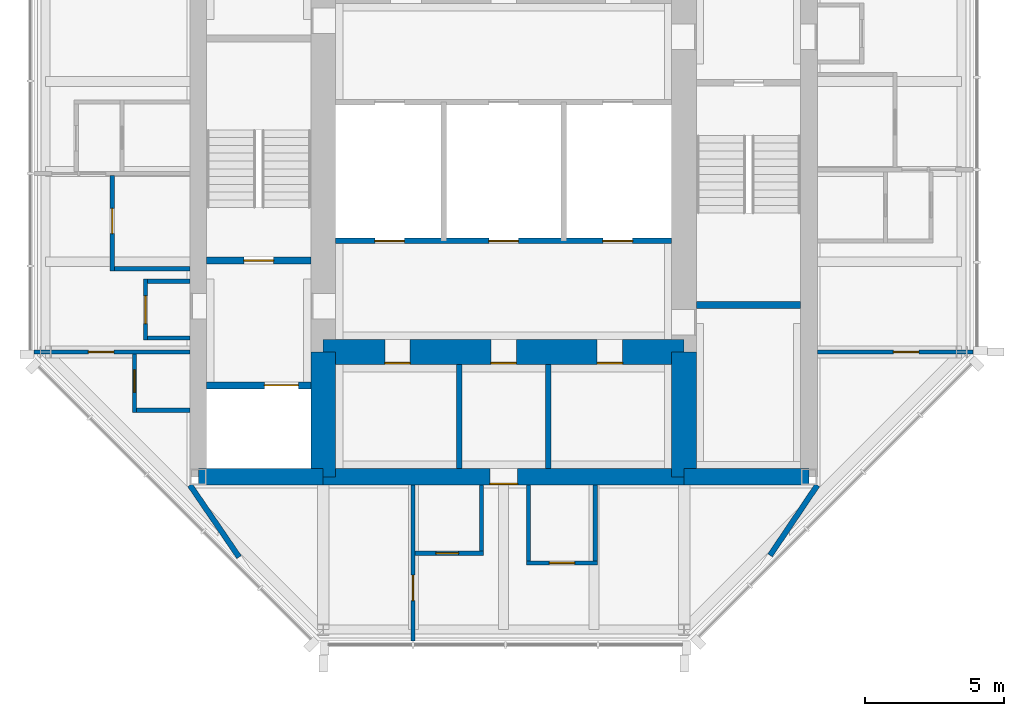
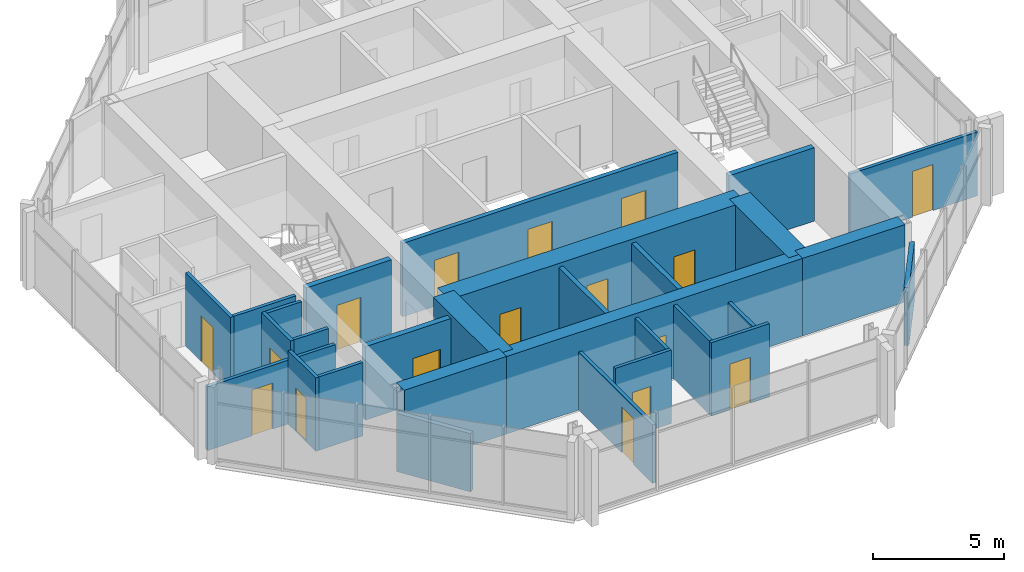
# One storey, part 5 of 9: 29 walls, 17 doors, 17 openings.
"""IFC4 building model written with IfcOpenShell, lengths in metres."""

from ifc_helpers import new_model, si_unit, direction, frame, frame_2d, origin, place, context, subcontext, project, spatial, rectangle, extrude, material, layer, layer_set, type_object, element, fill, save


model = new_model("IFC4")

# Units and contexts
model_context = context("Model", 3, precision=1e-05, world=origin(), true_north=direction((0.0, 1.0)))
body_context = subcontext(model_context, "Body", "Model", "MODEL_VIEW")
ifc_project = project(units=[si_unit("LENGTHUNIT", "METRE"), si_unit("AREAUNIT", "SQUARE_METRE"), si_unit("VOLUMEUNIT", "CUBIC_METRE"), si_unit("PLANEANGLEUNIT", "RADIAN"), si_unit("MASSUNIT", "GRAM", prefix="KILO")], contexts=[model_context])

# Site, building, storey
site_placement = place(None, origin())
site = spatial("IfcSite", under=ifc_project, at=site_placement, CompositionType="ELEMENT")
building_placement = place(site_placement, origin())
building = spatial("IfcBuilding", under=site, at=building_placement, Name="Trevanion Tower", CompositionType="ELEMENT")
storey_placement = place(building_placement, frame((0.0, 0.0, 281.199951171875)))
storey = spatial("IfcBuildingStorey", under=building, at=storey_placement, Name="L69", CompositionType="ELEMENT", Elevation=281.199951171875)

# Wall
ifc_material_1 = material(Name="Concrete 10,000 psi", Category="concrete")
ifc_layer_1 = layer(ifc_material_1, 0.60009765625)
ifc_layer_set_1 = layer_set([ifc_layer_1], Name="CW1 core wall 600")
wall_type_1 = type_object("IfcWallType", Name="CW1 core wall 600", PredefinedType="SHEAR", material=ifc_layer_set_1)
wall_1_placement = place(storey_placement, frame((-11.0, -11.0, 0.0), z_axis=(0.0, 0.0, 1.0), x_axis=(1.0, 0.0, 0.0)))
element("IfcWall", 1, at=wall_1_placement, inside=storey, type_object=wall_type_1, Name="CW1 CS1 L69", PredefinedType="SHEAR", context=body_context, shape_type="SweptSolid", body=[
    extrude(rectangle(XDim=4.5, YDim=0.60009765625, at=frame_2d((2.25, 0.0))), origin(), (0.0, 0.0, 1.0), 3.60009765625),
])

# Wall, opening, door
wall_2_placement = place(storey_placement, frame((-6.5, -11.0, 0.0), z_axis=(0.0, 0.0, 1.0), x_axis=(1.0, 0.0, 0.0)))
wall_2 = element("IfcWall", 2, at=wall_2_placement, inside=storey, type_object=wall_type_1, Name="CW1 CS2 L69", PredefinedType="SHEAR", context=body_context, shape_type="SweptSolid", body=[
    extrude(rectangle(XDim=13.0, YDim=0.60009765625, at=frame_2d((6.5, 0.0))), origin(), (0.0, 0.0, 1.0), 3.60009765625),
])
opening_1_placement = place(wall_2_placement, frame((6.0, 0.0, 0.0)))
opening_1 = element("IfcOpeningElement", 3, at=opening_1_placement, cuts=wall_2, Name="Opening 69-022", PredefinedType="OPENING", context=body_context, shape_type="SweptSolid", body=[
    extrude(rectangle(XDim=1.0, YDim=2.134033203125, at=frame_2d((0.5, 1.06689453125))), frame((0.0, 0.31005859375, 0.0), z_axis=(0.0, -1.0, 0.0), x_axis=(1.0, 0.0, 0.0)), (0.0, 0.0, 1.0), 0.6201171875),
])
ifc_material_2 = material(Name="Timber veneer on steel frame, fire rated", Category="steel")
door_type_1 = type_object("IfcDoorType", Name="D13 residence entrance door", OperationType="SINGLE_SWING_RIGHT", PredefinedType="DOOR", material=ifc_material_2)
door_1_placement = place(opening_1_placement, origin())
door_1 = element("IfcDoor", 4, at=door_1_placement, inside=storey, type_object=door_type_1, Name="Door 69-022", OperationType="SINGLE_SWING_RIGHT", OverallHeight=2.134033203125, OverallWidth=1.0, PredefinedType="DOOR", context=body_context, shape_type="SweptSolid", body=[
    extrude(rectangle(XDim=1.0, YDim=2.134033203125, at=frame_2d((0.5, 1.06689453125))), frame((0.0, -0.22509765625, 0.0), z_axis=(0.0, -1.0, 0.0), x_axis=(1.0, 0.0, 0.0)), (0.0, 0.0, 1.0), 0.050048828125),
])
fill(opening_1, door_1)

# Walls
wall_3_placement = place(storey_placement, frame((6.5, -11.0, 0.0), z_axis=(0.0, 0.0, 1.0), x_axis=(1.0, 0.0, 0.0)))
element("IfcWall", 5, at=wall_3_placement, inside=storey, type_object=wall_type_1, Name="CW1 CS3 L69", PredefinedType="SHEAR", context=body_context, shape_type="SweptSolid", body=[
    extrude(rectangle(XDim=4.5, YDim=0.60009765625, at=frame_2d((2.25, 0.0))), origin(), (0.0, 0.0, 1.0), 3.60009765625),
])
ifc_material_3 = material(Name="Concrete 10,000 psi", Category="concrete")
ifc_layer_2 = layer(ifc_material_3, 0.89990234375)
ifc_layer_set_2 = layer_set([ifc_layer_2], Name="CW2 core wall 900")
wall_type_2 = type_object("IfcWallType", Name="CW2 core wall 900", PredefinedType="SHEAR", material=ifc_layer_set_2)
for number, where, z_axis, x_axis, name in (
    (6, (6.5, -11.0, 0.0), (0.0, 0.0, 1.0), (0.0, 1.0, 0.0), "CW2 RE1 L69"),
    (7, (-6.5, -6.5, 0.0), (0.0, 0.0, 1.0), (0.0, -1.0, 0.0), "CW2 RW3 L69"),
):
    element("IfcWall", number, at=place(storey_placement, frame(where, z_axis=z_axis, x_axis=x_axis)), inside=storey, type_object=wall_type_2, Name=name, PredefinedType="SHEAR", context=body_context, shape_type="SweptSolid", body=[
        extrude(rectangle(XDim=4.5, YDim=0.89990234375, at=frame_2d((2.25, 0.0))), origin(), (0.0, 0.0, 1.0), 3.60009765625),
    ])

# Wall, openings, doors
wall_4_placement = place(storey_placement, frame((-6.5, -6.5, 0.0), z_axis=(0.0, 0.0, 1.0), x_axis=(1.0, 0.0, 0.0)))
wall_4 = element("IfcWall", 8, at=wall_4_placement, inside=storey, type_object=wall_type_2, Name="CW2 RS L69", PredefinedType="SHEAR", context=body_context, shape_type="SweptSolid", body=[
    extrude(rectangle(XDim=13.0, YDim=0.89990234375, at=frame_2d((6.5, 0.0))), origin(), (0.0, 0.0, 1.0), 3.60009765625),
])
opening_2_placement = place(wall_4_placement, frame((6.04248046875, 0.0, 0.0)))
opening_2 = element("IfcOpeningElement", 9, at=opening_2_placement, cuts=wall_4, Name="Opening 69-021", PredefinedType="OPENING", context=body_context, shape_type="SweptSolid", body=[
    extrude(rectangle(XDim=0.9150390625, YDim=2.134033203125, at=frame_2d((0.45751953125, 1.06689453125))), frame((0.0, 0.4599609375, 0.0), z_axis=(0.0, -1.0, 0.0), x_axis=(1.0, 0.0, 0.0)), (0.0, 0.0, 1.0), 0.919921875),
])
opening_3_placement = place(wall_4_placement, frame((2.217529296875, 0.0, 0.0)))
opening_3 = element("IfcOpeningElement", 10, at=opening_3_placement, cuts=wall_4, Name="Opening 69-023", PredefinedType="OPENING", context=body_context, shape_type="SweptSolid", body=[
    extrude(rectangle(XDim=0.9150390625, YDim=2.134033203125, at=frame_2d((0.45751953125, 1.06689453125))), frame((0.0, 0.4599609375, 0.0), z_axis=(0.0, -1.0, 0.0), x_axis=(1.0, 0.0, 0.0)), (0.0, 0.0, 1.0), 0.919921875),
])
opening_4_placement = place(wall_4_placement, frame((9.867431640625, 0.0, 0.0)))
opening_4 = element("IfcOpeningElement", 11, at=opening_4_placement, cuts=wall_4, Name="Opening 69-024", PredefinedType="OPENING", context=body_context, shape_type="SweptSolid", body=[
    extrude(rectangle(XDim=0.9150390625, YDim=2.134033203125, at=frame_2d((0.45751953125, 1.06689453125))), frame((0.0, 0.4599609375, 0.0), z_axis=(0.0, -1.0, 0.0), x_axis=(1.0, 0.0, 0.0)), (0.0, 0.0, 1.0), 0.919921875),
])
ifc_material_4 = material(Name="Hollow metal, fire rated", Category="steel")
door_type_2 = type_object("IfcDoorType", Name="D3 fire lift lobby door", OperationType="SINGLE_SWING_RIGHT", PredefinedType="DOOR", material=ifc_material_4)
door_2_placement = place(opening_2_placement, origin())
door_2 = element("IfcDoor", 12, at=door_2_placement, inside=storey, type_object=door_type_2, Name="Door 69-021", OperationType="SINGLE_SWING_RIGHT", OverallHeight=2.134033203125, OverallWidth=0.9150390625, PredefinedType="DOOR", context=body_context, shape_type="SweptSolid", body=[
    extrude(rectangle(XDim=0.9150390625, YDim=2.134033203125, at=frame_2d((0.45751953125, 1.06689453125))), frame((0.0, -0.375, 0.0), z_axis=(0.0, -1.0, 0.0), x_axis=(1.0, 0.0, 0.0)), (0.0, 0.0, 1.0), 0.050048828125),
])
fill(opening_2, door_2)
ifc_material_5 = material(Name="Hollow metal, fire rated", Category="steel")
door_type_3 = type_object("IfcDoorType", Name="D5 service room door", OperationType="SINGLE_SWING_RIGHT", PredefinedType="DOOR", material=ifc_material_5)
door_3_placement = place(opening_3_placement, origin())
door_3 = element("IfcDoor", 13, at=door_3_placement, inside=storey, type_object=door_type_3, Name="Door 69-023", OperationType="SINGLE_SWING_RIGHT", OverallHeight=2.134033203125, OverallWidth=0.9150390625, PredefinedType="DOOR", context=body_context, shape_type="SweptSolid", body=[
    extrude(rectangle(XDim=0.9150390625, YDim=2.134033203125, at=frame_2d((0.45751953125, 1.06689453125))), frame((0.0, -0.375, 0.0), z_axis=(0.0, -1.0, 0.0), x_axis=(1.0, 0.0, 0.0)), (0.0, 0.0, 1.0), 0.050048828125),
])
fill(opening_3, door_3)
door_4_placement = place(opening_4_placement, origin())
door_4 = element("IfcDoor", 14, at=door_4_placement, inside=storey, type_object=door_type_3, Name="Door 69-024", OperationType="SINGLE_SWING_RIGHT", OverallHeight=2.134033203125, OverallWidth=0.9150390625, PredefinedType="DOOR", context=body_context, shape_type="SweptSolid", body=[
    extrude(rectangle(XDim=0.9150390625, YDim=2.134033203125, at=frame_2d((0.45751953125, 1.06689453125))), frame((0.0, -0.375, 0.0), z_axis=(0.0, -1.0, 0.0), x_axis=(1.0, 0.0, 0.0)), (0.0, 0.0, 1.0), 0.050048828125),
])
fill(opening_4, door_4)

# Wall, opening, door
ifc_material_6 = material(Name="Gypsum board on steel studs", Category="steel")
ifc_layer_3 = layer(ifc_material_6, 0.14990234375)
ifc_layer_set_3 = layer_set([ifc_layer_3], Name="PT1 partition 150")
wall_type_3 = type_object("IfcWallType", Name="PT1 partition 150", PredefinedType="PARTITIONING", material=ifc_layer_set_3)
wall_5_placement = place(storey_placement, frame((11.300048828125, -6.5, 0.0), z_axis=(0.0, 0.0, 1.0), x_axis=(1.0, 0.0, 0.0)))
wall_5 = element("IfcWall", 15, at=wall_5_placement, inside=storey, type_object=wall_type_3, Name="PT1 L69 REC0", PredefinedType="PARTITIONING", context=body_context, shape_type="SweptSolid", body=[
    extrude(rectangle(XDim=5.614990234375, YDim=0.14990234375, at=frame_2d((2.8076171875, 0.0))), origin(), (0.0, 0.0, 1.0), 2.965576171875),
])
opening_5_placement = place(wall_5_placement, frame((2.742431640625, 0.0, 0.0)))
opening_5 = element("IfcOpeningElement", 16, at=opening_5_placement, cuts=wall_5, Name="Opening 69-031", PredefinedType="OPENING", context=body_context, shape_type="SweptSolid", body=[
    extrude(rectangle(XDim=0.9150390625, YDim=2.134033203125, at=frame_2d((0.45751953125, 1.06689453125))), frame((0.0, 0.0849609375, 0.0), z_axis=(0.0, -1.0, 0.0), x_axis=(1.0, 0.0, 0.0)), (0.0, 0.0, 1.0), 0.169921875),
])
ifc_material_7 = material(Name="Timber veneer, solid core", Category="wood")
door_type_4 = type_object("IfcDoorType", Name="D1 office and meeting room door", OperationType="SINGLE_SWING_LEFT", PredefinedType="DOOR", material=ifc_material_7)
door_5_placement = place(opening_5_placement, origin())
door_5 = element("IfcDoor", 17, at=door_5_placement, inside=storey, type_object=door_type_4, Name="Door 69-031", OperationType="SINGLE_SWING_LEFT", OverallHeight=2.134033203125, OverallWidth=0.9150390625, PredefinedType="DOOR", context=body_context, shape_type="SweptSolid", body=[
    extrude(rectangle(XDim=0.9150390625, YDim=2.134033203125, at=frame_2d((0.45751953125, 1.06689453125))), frame((0.0, 0.02490234375, 0.0), z_axis=(0.0, -1.0, 0.0), x_axis=(1.0, 0.0, 0.0)), (0.0, 0.0, 1.0), 0.050048828125),
])
fill(opening_5, door_5)

wall_6_placement = place(storey_placement, frame((-11.300048828125, -6.5, 0.0), z_axis=(0.0, 0.0, 1.0), x_axis=(-1.0, 0.0, 0.0)))
wall_6 = element("IfcWall", 18, at=wall_6_placement, inside=storey, type_object=wall_type_3, Name="PT1 L69 RWC2", PredefinedType="PARTITIONING", context=body_context, shape_type="SweptSolid", body=[
    extrude(rectangle(XDim=5.614990234375, YDim=0.14990234375, at=frame_2d((2.8076171875, 0.0))), origin(), (0.0, 0.0, 1.0), 2.965576171875),
])
opening_6_placement = place(wall_6_placement, frame((2.742431640625, 0.0, 0.0)))
opening_6 = element("IfcOpeningElement", 19, at=opening_6_placement, cuts=wall_6, Name="Opening 69-045", PredefinedType="OPENING", context=body_context, shape_type="SweptSolid", body=[
    extrude(rectangle(XDim=0.9150390625, YDim=2.134033203125, at=frame_2d((0.45751953125, 1.06689453125))), frame((0.0, 0.0849609375, 0.0), z_axis=(0.0, -1.0, 0.0), x_axis=(1.0, 0.0, 0.0)), (0.0, 0.0, 1.0), 0.169921875),
])
door_6_placement = place(opening_6_placement, origin())
door_6 = element("IfcDoor", 20, at=door_6_placement, inside=storey, type_object=door_type_4, Name="Door 69-045", OperationType="SINGLE_SWING_LEFT", OverallHeight=2.134033203125, OverallWidth=0.9150390625, PredefinedType="DOOR", context=body_context, shape_type="SweptSolid", body=[
    extrude(rectangle(XDim=0.9150390625, YDim=2.134033203125, at=frame_2d((0.45751953125, 1.06689453125))), frame((0.0, 0.02490234375, 0.0), z_axis=(0.0, -1.0, 0.0), x_axis=(1.0, 0.0, 0.0)), (0.0, 0.0, 1.0), 0.050048828125),
])
fill(opening_6, door_6)

# Walls
for number, where, z_axis, x_axis, name in (
    (21, (-11.300048828125, -3.949951171875, 0.0), (0.0, 0.0, 1.0), (-1.0, 0.0, 0.0), "PT1 L69 RWEA"),
    (22, (-11.300048828125, -6.0, 0.0), (0.0, 0.0, 1.0), (-1.0, 0.0, 0.0), "PT1 L69 RWEB"),
):
    element("IfcWall", number, at=place(storey_placement, frame(where, z_axis=z_axis, x_axis=x_axis)), inside=storey, type_object=wall_type_3, Name=name, PredefinedType="PARTITIONING", context=body_context, shape_type="SweptSolid", body=[
        extrude(rectangle(XDim=1.52490234375, YDim=0.14990234375, at=frame_2d((0.762451171875, 0.0))), origin(), (0.0, 0.0, 1.0), 3.41015625),
    ])

# Wall, opening, door
wall_7_placement = place(storey_placement, frame((-14.10009765625, -0.139892578125, 0.0), z_axis=(0.0, 0.0, 1.0), x_axis=(0.0, -1.0, 0.0)))
wall_7 = element("IfcWall", 23, at=wall_7_placement, inside=storey, type_object=wall_type_3, Name="PT1 L69 RWKF", PredefinedType="PARTITIONING", context=body_context, shape_type="SweptSolid", body=[
    extrude(rectangle(XDim=3.43505859375, YDim=0.14990234375, at=frame_2d((1.717529296875, 0.0))), origin(), (0.0, 0.0, 1.0), 3.41015625),
])
opening_7_placement = place(wall_7_placement, frame((1.18505859375, 0.0, 0.0)))
opening_7 = element("IfcOpeningElement", 24, at=opening_7_placement, cuts=wall_7, Name="Opening 69-038", PredefinedType="OPENING", context=body_context, shape_type="SweptSolid", body=[
    extrude(rectangle(XDim=0.9150390625, YDim=2.134033203125, at=frame_2d((0.45751953125, 1.06689453125))), frame((0.0, 0.0849609375, 0.0), z_axis=(0.0, -1.0, 0.0), x_axis=(1.0, 0.0, 0.0)), (0.0, 0.0, 1.0), 0.169921875),
])
door_7_placement = place(opening_7_placement, origin())
door_7 = element("IfcDoor", 25, at=door_7_placement, inside=storey, type_object=door_type_4, Name="Door 69-038", OperationType="SINGLE_SWING_LEFT", OverallHeight=2.134033203125, OverallWidth=0.9150390625, PredefinedType="DOOR", context=body_context, shape_type="SweptSolid", body=[
    extrude(rectangle(XDim=0.9150390625, YDim=2.134033203125, at=frame_2d((0.45751953125, 1.06689453125))), frame((0.0, 0.02490234375, 0.0), z_axis=(0.0, -1.0, 0.0), x_axis=(1.0, 0.0, 0.0)), (0.0, 0.0, 1.0), 0.050048828125),
])
fill(opening_7, door_7)

# Wall
wall_8_placement = place(storey_placement, frame((-11.300048828125, -3.5, 0.0), z_axis=(0.0, 0.0, 1.0), x_axis=(-1.0, 0.0, 0.0)))
element("IfcWall", 26, at=wall_8_placement, inside=storey, type_object=wall_type_3, Name="PT1 L69 RWKB", PredefinedType="PARTITIONING", context=body_context, shape_type="SweptSolid", body=[
    extrude(rectangle(XDim=2.724853515625, YDim=0.14990234375, at=frame_2d((1.3623046875, 0.0))), origin(), (0.0, 0.0, 1.0), 3.41015625),
])

# Wall, opening, door
wall_9_placement = place(storey_placement, frame((-13.300048828125, -6.574951171875, 0.0), z_axis=(0.0, 0.0, 1.0), x_axis=(0.0, -1.0, 0.0)))
wall_9 = element("IfcWall", 27, at=wall_9_placement, inside=storey, type_object=wall_type_3, Name="PT1 L69 RWWF", PredefinedType="PARTITIONING", context=body_context, shape_type="SweptSolid", body=[
    extrude(rectangle(XDim=2.10009765625, YDim=0.14990234375, at=frame_2d((1.050048828125, 0.0))), origin(), (0.0, 0.0, 1.0), 3.41015625),
])
opening_8_placement = place(wall_9_placement, frame((0.568603515625, 0.0, 0.0)))
opening_8 = element("IfcOpeningElement", 28, at=opening_8_placement, cuts=wall_9, Name="Opening 69-039", PredefinedType="OPENING", context=body_context, shape_type="SweptSolid", body=[
    extrude(rectangle(XDim=0.81298828125, YDim=2.031982421875, at=frame_2d((0.406494140625, 1.01611328125))), frame((0.0, 0.0849609375, 0.0), z_axis=(0.0, -1.0, 0.0), x_axis=(1.0, 0.0, 0.0)), (0.0, 0.0, 1.0), 0.169921875),
])
ifc_material_8 = material(Name="Timber veneer", Category="wood")
door_type_5 = type_object("IfcDoorType", Name="D14 residence bathroom door", OperationType="SINGLE_SWING_LEFT", PredefinedType="DOOR", material=ifc_material_8)
door_8_placement = place(opening_8_placement, origin())
door_8 = element("IfcDoor", 29, at=door_8_placement, inside=storey, type_object=door_type_5, Name="Door 69-039", OperationType="SINGLE_SWING_LEFT", OverallHeight=2.031982421875, OverallWidth=0.81298828125, PredefinedType="DOOR", context=body_context, shape_type="SweptSolid", body=[
    extrude(rectangle(XDim=0.81298828125, YDim=2.031982421875, at=frame_2d((0.406494140625, 1.01611328125))), frame((0.0, 0.02490234375, 0.0), z_axis=(0.0, -1.0, 0.0), x_axis=(1.0, 0.0, 0.0)), (0.0, 0.0, 1.0), 0.050048828125),
])
fill(opening_8, door_8)

# Wall
wall_10_placement = place(storey_placement, frame((-11.300048828125, -8.60009765625, 0.0), z_axis=(0.0, 0.0, 1.0), x_axis=(-1.0, 0.0, 0.0)))
element("IfcWall", 30, at=wall_10_placement, inside=storey, type_object=wall_type_3, Name="PT1 L69 RWWB", PredefinedType="PARTITIONING", context=body_context, shape_type="SweptSolid", body=[
    extrude(rectangle(XDim=1.925048828125, YDim=0.14990234375, at=frame_2d((0.96240234375, 0.0))), origin(), (0.0, 0.0, 1.0), 3.41015625),
])

# Wall, opening, door
wall_11_placement = place(storey_placement, frame((-3.26611328125, -11.300048828125, 0.0), z_axis=(0.0, 0.0, 1.0), x_axis=(0.0, -1.0, 0.0)))
wall_11 = element("IfcWall", 31, at=wall_11_placement, inside=storey, type_object=wall_type_3, Name="PT1 L69 RSC0", PredefinedType="PARTITIONING", context=body_context, shape_type="SweptSolid", body=[
    extrude(rectangle(XDim=5.614990234375, YDim=0.14990234375, at=frame_2d((2.8076171875, 0.0))), origin(), (0.0, 0.0, 1.0), 2.708984375),
])
opening_9_placement = place(wall_11_placement, frame((3.242431640625, 0.0, 0.0)))
opening_9 = element("IfcOpeningElement", 32, at=opening_9_placement, cuts=wall_11, Name="Opening 69-048", PredefinedType="OPENING", context=body_context, shape_type="SweptSolid", body=[
    extrude(rectangle(XDim=0.9150390625, YDim=2.134033203125, at=frame_2d((0.45751953125, 1.06689453125))), frame((0.0, 0.0849609375, 0.0), z_axis=(0.0, -1.0, 0.0), x_axis=(1.0, 0.0, 0.0)), (0.0, 0.0, 1.0), 0.169921875),
])
door_9_placement = place(opening_9_placement, origin())
door_9 = element("IfcDoor", 33, at=door_9_placement, inside=storey, type_object=door_type_4, Name="Door 69-048", OperationType="SINGLE_SWING_LEFT", OverallHeight=2.134033203125, OverallWidth=0.9150390625, PredefinedType="DOOR", context=body_context, shape_type="SweptSolid", body=[
    extrude(rectangle(XDim=0.9150390625, YDim=2.134033203125, at=frame_2d((0.45751953125, 1.06689453125))), frame((0.0, 0.02490234375, 0.0), z_axis=(0.0, -1.0, 0.0), x_axis=(1.0, 0.0, 0.0)), (0.0, 0.0, 1.0), 0.050048828125),
])
fill(opening_9, door_9)

wall_12_placement = place(storey_placement, frame((0.824951171875, -14.10009765625, 0.0), z_axis=(0.0, 0.0, 1.0), x_axis=(1.0, 0.0, 0.0)))
wall_12 = element("IfcWall", 34, at=wall_12_placement, inside=storey, type_object=wall_type_3, Name="PT1 L69 RSKF", PredefinedType="PARTITIONING", context=body_context, shape_type="SweptSolid", body=[
    extrude(rectangle(XDim=2.550048828125, YDim=0.14990234375, at=frame_2d((1.27490234375, 0.0))), origin(), (0.0, 0.0, 1.0), 3.41015625),
])
opening_10_placement = place(wall_12_placement, frame((0.8173828125, 0.0, 0.0)))
opening_10 = element("IfcOpeningElement", 35, at=opening_10_placement, cuts=wall_12, Name="Opening 69-046", PredefinedType="OPENING", context=body_context, shape_type="SweptSolid", body=[
    extrude(rectangle(XDim=0.9150390625, YDim=2.134033203125, at=frame_2d((0.45751953125, 1.06689453125))), frame((0.0, 0.0849609375, 0.0), z_axis=(0.0, -1.0, 0.0), x_axis=(1.0, 0.0, 0.0)), (0.0, 0.0, 1.0), 0.169921875),
])
door_10_placement = place(opening_10_placement, origin())
door_10 = element("IfcDoor", 36, at=door_10_placement, inside=storey, type_object=door_type_4, Name="Door 69-046", OperationType="SINGLE_SWING_LEFT", OverallHeight=2.134033203125, OverallWidth=0.9150390625, PredefinedType="DOOR", context=body_context, shape_type="SweptSolid", body=[
    extrude(rectangle(XDim=0.9150390625, YDim=2.134033203125, at=frame_2d((0.45751953125, 1.06689453125))), frame((0.0, 0.02490234375, 0.0), z_axis=(0.0, -1.0, 0.0), x_axis=(1.0, 0.0, 0.0)), (0.0, 0.0, 1.0), 0.050048828125),
])
fill(opening_10, door_10)

# Walls
wall_13_placement = place(storey_placement, frame((0.89990234375, -11.300048828125, 0.0), z_axis=(0.0, 0.0, 1.0), x_axis=(0.0, -1.0, 0.0)))
element("IfcWall", 37, at=wall_13_placement, inside=storey, type_object=wall_type_3, Name="PT1 L69 RSKA", PredefinedType="PARTITIONING", context=body_context, shape_type="SweptSolid", body=[
    extrude(rectangle(XDim=2.724853515625, YDim=0.14990234375, at=frame_2d((1.3623046875, 0.0))), origin(), (0.0, 0.0, 1.0), 3.41015625),
])
wall_14_placement = place(storey_placement, frame((3.300048828125, -11.300048828125, 0.0), z_axis=(0.0, 0.0, 1.0), x_axis=(0.0, -1.0, 0.0)))
element("IfcWall", 38, at=wall_14_placement, inside=storey, type_object=wall_type_3, Name="PT1 L69 RSKB", PredefinedType="PARTITIONING", context=body_context, shape_type="SweptSolid", body=[
    extrude(rectangle(XDim=2.724853515625, YDim=0.14990234375, at=frame_2d((1.3623046875, 0.0))), origin(), (0.0, 0.0, 1.0), 2.708984375),
])

# Wall, opening, door
wall_15_placement = place(storey_placement, frame((-3.19091796875, -13.75, 0.0), z_axis=(0.0, 0.0, 1.0), x_axis=(1.0, 0.0, 0.0)))
wall_15 = element("IfcWall", 39, at=wall_15_placement, inside=storey, type_object=wall_type_3, Name="PT1 L69 RSTF", PredefinedType="PARTITIONING", context=body_context, shape_type="SweptSolid", body=[
    extrude(rectangle(XDim=2.4658203125, YDim=0.14990234375, at=frame_2d((1.23291015625, 0.0))), origin(), (0.0, 0.0, 1.0), 3.41015625),
])
opening_11_placement = place(wall_15_placement, frame((0.75146484375, 0.0, 0.0)))
opening_11 = element("IfcOpeningElement", 40, at=opening_11_placement, cuts=wall_15, Name="Opening 69-047", PredefinedType="OPENING", context=body_context, shape_type="SweptSolid", body=[
    extrude(rectangle(XDim=0.81298828125, YDim=2.031982421875, at=frame_2d((0.406494140625, 1.01611328125))), frame((0.0, 0.0849609375, 0.0), z_axis=(0.0, -1.0, 0.0), x_axis=(1.0, 0.0, 0.0)), (0.0, 0.0, 1.0), 0.169921875),
])
door_11_placement = place(opening_11_placement, origin())
door_11 = element("IfcDoor", 41, at=door_11_placement, inside=storey, type_object=door_type_5, Name="Door 69-047", OperationType="SINGLE_SWING_LEFT", OverallHeight=2.031982421875, OverallWidth=0.81298828125, PredefinedType="DOOR", context=body_context, shape_type="SweptSolid", body=[
    extrude(rectangle(XDim=0.81298828125, YDim=2.031982421875, at=frame_2d((0.406494140625, 1.01611328125))), frame((0.0, 0.02490234375, 0.0), z_axis=(0.0, -1.0, 0.0), x_axis=(1.0, 0.0, 0.0)), (0.0, 0.0, 1.0), 0.050048828125),
])
fill(opening_11, door_11)

# Wall
wall_16_placement = place(storey_placement, frame((-0.800048828125, -11.300048828125, 0.0), z_axis=(0.0, 0.0, 1.0), x_axis=(0.0, -1.0, 0.0)))
element("IfcWall", 42, at=wall_16_placement, inside=storey, type_object=wall_type_3, Name="PT1 L69 RSTB", PredefinedType="PARTITIONING", context=body_context, shape_type="SweptSolid", body=[
    extrude(rectangle(XDim=2.375, YDim=0.14990234375, at=frame_2d((1.1875, 0.0))), origin(), (0.0, 0.0, 1.0), 3.41015625),
])

# Wall, opening, door
ifc_material_9 = material(Name="Gypsum board on steel studs", Category="steel")
ifc_layer_4 = layer(ifc_material_9, 0.14990234375)
ifc_layer_set_4 = layer_set([ifc_layer_4], Name="PT1 partition 150 1 HR")
wall_type_4 = type_object("IfcWallType", Name="PT1 partition 150 1 HR", PredefinedType="PARTITIONING", material=ifc_layer_set_4)
wall_17_placement = place(storey_placement, frame((-12.89990234375, -3.875, 0.0), z_axis=(0.0, 0.0, 1.0), x_axis=(0.0, -1.0, 0.0)))
wall_17 = element("IfcWall", 43, at=wall_17_placement, inside=storey, type_object=wall_type_4, Name="PT1 L69 RWEF", PredefinedType="PARTITIONING", context=body_context, shape_type="SweptSolid", body=[
    extrude(rectangle(XDim=2.199951171875, YDim=0.14990234375, at=frame_2d((1.10009765625, 0.0))), origin(), (0.0, 0.0, 1.0), 3.41015625),
])
opening_12_placement = place(wall_17_placement, frame((0.60009765625, 0.0, 0.0)))
opening_12 = element("IfcOpeningElement", 44, at=opening_12_placement, cuts=wall_17, Name="Opening 69-037", PredefinedType="OPENING", context=body_context, shape_type="SweptSolid", body=[
    extrude(rectangle(XDim=1.0, YDim=2.134033203125, at=frame_2d((0.5, 1.06689453125))), frame((0.0, 0.0849609375, 0.0), z_axis=(0.0, -1.0, 0.0), x_axis=(1.0, 0.0, 0.0)), (0.0, 0.0, 1.0), 0.169921875),
])
door_12_placement = place(opening_12_placement, origin())
door_12 = element("IfcDoor", 45, at=door_12_placement, inside=storey, type_object=door_type_1, Name="Door 69-037", OperationType="SINGLE_SWING_RIGHT", OverallHeight=2.134033203125, OverallWidth=1.0, PredefinedType="DOOR", context=body_context, shape_type="SweptSolid", body=[
    extrude(rectangle(XDim=1.0, YDim=2.134033203125, at=frame_2d((0.5, 1.06689453125))), frame((0.0, 0.02490234375, 0.0), z_axis=(0.0, -1.0, 0.0), x_axis=(1.0, 0.0, 0.0)), (0.0, 0.0, 1.0), 0.050048828125),
])
fill(opening_12, door_12)

# Wall, openings, doors
ifc_material_10 = material(Name="Concrete masonry, grouted", Category="masonry")
ifc_layer_5 = layer(ifc_material_10, 0.199951171875)
ifc_layer_set_5 = layer_set([ifc_layer_5], Name="PT2 partition 200 1 HR")
wall_type_5 = type_object("IfcWallType", Name="PT2 partition 200 1 HR", PredefinedType="PARTITIONING", material=ifc_layer_set_5)
wall_18_placement = place(storey_placement, frame((6.050048828125, -2.5, 0.0), z_axis=(0.0, 0.0, 1.0), x_axis=(-1.0, 0.0, 0.0)))
wall_18 = element("IfcWall", 46, at=wall_18_placement, inside=storey, type_object=wall_type_5, Name="PT2 L69 CP2", PredefinedType="PARTITIONING", context=body_context, shape_type="SweptSolid", body=[
    extrude(rectangle(XDim=12.10009765625, YDim=0.199951171875, at=frame_2d((6.050048828125, 0.0))), origin(), (0.0, 0.0, 1.0), 3.41015625),
])
opening_13_placement = place(wall_18_placement, frame((9.624755859375, 0.0, 0.0)))
opening_13 = element("IfcOpeningElement", 47, at=opening_13_placement, cuts=wall_18, Name="Opening 69-012", PredefinedType="OPENING", context=body_context, shape_type="SweptSolid", body=[
    extrude(rectangle(XDim=1.06689453125, YDim=2.134033203125, at=frame_2d((0.533447265625, 1.06689453125))), frame((0.0, 0.10986328125, 0.0), z_axis=(0.0, -1.0, 0.0), x_axis=(1.0, 0.0, 0.0)), (0.0, 0.0, 1.0), 0.219970703125),
])
opening_14_placement = place(wall_18_placement, frame((5.5166015625, 0.0, 0.0)))
opening_14 = element("IfcOpeningElement", 48, at=opening_14_placement, cuts=wall_18, Name="Opening 69-014", PredefinedType="OPENING", context=body_context, shape_type="SweptSolid", body=[
    extrude(rectangle(XDim=1.06689453125, YDim=2.134033203125, at=frame_2d((0.533447265625, 1.06689453125))), frame((0.0, 0.10986328125, 0.0), z_axis=(0.0, -1.0, 0.0), x_axis=(1.0, 0.0, 0.0)), (0.0, 0.0, 1.0), 0.219970703125),
])
opening_15_placement = place(wall_18_placement, frame((1.408203125, 0.0, 0.0)))
opening_15 = element("IfcOpeningElement", 49, at=opening_15_placement, cuts=wall_18, Name="Opening 69-016", PredefinedType="OPENING", context=body_context, shape_type="SweptSolid", body=[
    extrude(rectangle(XDim=1.06689453125, YDim=2.134033203125, at=frame_2d((0.533447265625, 1.06689453125))), frame((0.0, 0.10986328125, 0.0), z_axis=(0.0, -1.0, 0.0), x_axis=(1.0, 0.0, 0.0)), (0.0, 0.0, 1.0), 0.219970703125),
])
ifc_material_11 = material(Name="Stainless steel, fire rated", Category="steel")
door_type_6 = type_object("IfcDoorType", Name="LD1 lift landing door", OperationType="SLIDING_TO_LEFT", PredefinedType="DOOR", material=ifc_material_11)
door_13_placement = place(opening_13_placement, origin())
door_13 = element("IfcDoor", 50, at=door_13_placement, inside=storey, type_object=door_type_6, Name="Door 69-012", OperationType="SLIDING_TO_LEFT", OverallHeight=2.134033203125, OverallWidth=1.06689453125, PredefinedType="DOOR", context=body_context, shape_type="SweptSolid", body=[
    extrude(rectangle(XDim=1.06689453125, YDim=2.134033203125, at=frame_2d((0.533447265625, 1.06689453125))), frame((0.0, 0.02490234375, 0.0), z_axis=(0.0, -1.0, 0.0), x_axis=(1.0, 0.0, 0.0)), (0.0, 0.0, 1.0), 0.050048828125),
])
fill(opening_13, door_13)
door_14_placement = place(opening_14_placement, origin())
door_14 = element("IfcDoor", 51, at=door_14_placement, inside=storey, type_object=door_type_6, Name="Door 69-014", OperationType="SLIDING_TO_LEFT", OverallHeight=2.134033203125, OverallWidth=1.06689453125, PredefinedType="DOOR", context=body_context, shape_type="SweptSolid", body=[
    extrude(rectangle(XDim=1.06689453125, YDim=2.134033203125, at=frame_2d((0.533447265625, 1.06689453125))), frame((0.0, 0.02490234375, 0.0), z_axis=(0.0, -1.0, 0.0), x_axis=(1.0, 0.0, 0.0)), (0.0, 0.0, 1.0), 0.050048828125),
])
fill(opening_14, door_14)
door_15_placement = place(opening_15_placement, origin())
door_15 = element("IfcDoor", 52, at=door_15_placement, inside=storey, type_object=door_type_6, Name="Door 69-016", OperationType="SLIDING_TO_LEFT", OverallHeight=2.134033203125, OverallWidth=1.06689453125, PredefinedType="DOOR", context=body_context, shape_type="SweptSolid", body=[
    extrude(rectangle(XDim=1.06689453125, YDim=2.134033203125, at=frame_2d((0.533447265625, 1.06689453125))), frame((0.0, 0.02490234375, 0.0), z_axis=(0.0, -1.0, 0.0), x_axis=(1.0, 0.0, 0.0)), (0.0, 0.0, 1.0), 0.050048828125),
])
fill(opening_15, door_15)

# Walls
for number, where, z_axis, x_axis, name in (
    (53, (-1.60009765625, -6.949951171875, 0.0), (0.0, 0.0, 1.0), (0.0, -1.0, 0.0), "PT2 L69 CSP1"),
    (54, (1.60009765625, -6.949951171875, 0.0), (0.0, 0.0, 1.0), (0.0, -1.0, 0.0), "PT2 L69 CSP2"),
):
    element("IfcWall", number, at=place(storey_placement, frame(where, z_axis=z_axis, x_axis=x_axis)), inside=storey, type_object=wall_type_5, Name=name, PredefinedType="PARTITIONING", context=body_context, shape_type="SweptSolid", body=[
        extrude(rectangle(XDim=3.75, YDim=0.199951171875, at=frame_2d((1.875, 0.0))), origin(), (0.0, 0.0, 1.0), 3.41015625),
    ])
wall_19_placement = place(storey_placement, frame((-11.300048828125, -11.300048828125, 0.0), z_axis=(0.0, 0.0, 1.0), x_axis=(0.563469639691, -0.826136771453, 0.0)))
element("IfcWall", 55, at=wall_19_placement, inside=storey, type_object=wall_type_5, Name="PT2 L69 UB2", PredefinedType="PARTITIONING", context=body_context, shape_type="SweptSolid", body=[
    extrude(rectangle(XDim=3.136962890625, YDim=0.199951171875, at=frame_2d((1.568359375, 0.0))), origin(), (0.0, 0.0, 1.0), 2.703857421875),
])
wall_20_placement = place(storey_placement, frame((11.300048828125, -11.300048828125, 0.0), z_axis=(0.0, 0.0, 1.0), x_axis=(-0.558834300538, -0.829279340477, 0.0)))
element("IfcWall", 56, at=wall_20_placement, inside=storey, type_object=wall_type_5, Name="PT2 L69 UB3", PredefinedType="PARTITIONING", context=body_context, shape_type="SweptSolid", body=[
    extrude(rectangle(XDim=3.047607421875, YDim=0.199951171875, at=frame_2d((1.52392578125, 0.0))), origin(), (0.0, 0.0, 1.0), 2.703857421875),
])

# Wall, opening, door
ifc_material_12 = material(Name="Concrete masonry, grouted, two-hour", Category="masonry")
ifc_layer_6 = layer(ifc_material_12, 0.25)
ifc_layer_set_6 = layer_set([ifc_layer_6], Name="PT3 partition 250 2 HR")
wall_type_6 = type_object("IfcWallType", Name="PT3 partition 250 2 HR", PredefinedType="PARTITIONING", material=ifc_layer_set_6)
wall_21_placement = place(storey_placement, frame((-6.949951171875, -7.699951171875, 0.0), z_axis=(0.0, 0.0, 1.0), x_axis=(-1.0, 0.0, 0.0)))
wall_21 = element("IfcWall", 57, at=wall_21_placement, inside=storey, type_object=wall_type_6, Name="PT3 L69 WP3", PredefinedType="PARTITIONING", context=body_context, shape_type="SweptSolid", body=[
    extrude(rectangle(XDim=3.75, YDim=0.25, at=frame_2d((1.875, 0.0))), origin(), (0.0, 0.0, 1.0), 3.41015625),
])
opening_16_placement = place(wall_21_placement, frame((0.449951171875, 0.0, 0.0)))
opening_16 = element("IfcOpeningElement", 58, at=opening_16_placement, cuts=wall_21, Name="Opening 69-008", PredefinedType="OPENING", context=body_context, shape_type="SweptSolid", body=[
    extrude(rectangle(XDim=1.218994140625, YDim=2.134033203125, at=frame_2d((0.609375, 1.06689453125))), frame((0.0, 0.135009765625, 0.0), z_axis=(0.0, -1.0, 0.0), x_axis=(1.0, 0.0, 0.0)), (0.0, 0.0, 1.0), 0.27001953125),
])
ifc_material_13 = material(Name="Stainless steel, fire rated", Category="steel")
door_type_7 = type_object("IfcDoorType", Name="LD2 fire service lift landing door", OperationType="SLIDING_TO_LEFT", PredefinedType="DOOR", material=ifc_material_13)
door_16_placement = place(opening_16_placement, origin())
door_16 = element("IfcDoor", 59, at=door_16_placement, inside=storey, type_object=door_type_7, Name="Door 69-008", OperationType="SLIDING_TO_LEFT", OverallHeight=2.134033203125, OverallWidth=1.218994140625, PredefinedType="DOOR", context=body_context, shape_type="SweptSolid", body=[
    extrude(rectangle(XDim=1.218994140625, YDim=2.134033203125, at=frame_2d((0.609375, 1.06689453125))), frame((0.0, 0.02490234375, 0.0), z_axis=(0.0, -1.0, 0.0), x_axis=(1.0, 0.0, 0.0)), (0.0, 0.0, 1.0), 0.050048828125),
])
fill(opening_16, door_16)

# Wall
ifc_material_14 = material(Name="Reinforced masonry, fully grouted", Category="masonry")
ifc_layer_7 = layer(ifc_material_14, 0.25)
ifc_layer_set_7 = layer_set([ifc_layer_7], Name="SW1 stair shaft wall 250")
wall_type_7 = type_object("IfcWallType", Name="SW1 stair shaft wall 250", PredefinedType="SOLIDWALL", material=ifc_layer_set_7)
wall_22_placement = place(storey_placement, frame((6.949951171875, -4.800048828125, 0.0), z_axis=(0.0, 0.0, 1.0), x_axis=(1.0, 0.0, 0.0)))
element("IfcWall", 60, at=wall_22_placement, inside=storey, type_object=wall_type_7, Name="SW1 L69 EP1", PredefinedType="SOLIDWALL", context=body_context, shape_type="SweptSolid", body=[
    extrude(rectangle(XDim=3.75, YDim=0.25, at=frame_2d((1.875, 0.0))), origin(), (0.0, 0.0, 1.0), 3.41015625),
])

# Wall, opening, door
wall_23_placement = place(storey_placement, frame((-6.949951171875, -3.199951171875, 0.0), z_axis=(0.0, 0.0, 1.0), x_axis=(-1.0, 0.0, 0.0)))
wall_23 = element("IfcWall", 61, at=wall_23_placement, inside=storey, type_object=wall_type_7, Name="SW1 L69 WP2", PredefinedType="SOLIDWALL", context=body_context, shape_type="SweptSolid", body=[
    extrude(rectangle(XDim=3.75, YDim=0.25, at=frame_2d((1.875, 0.0))), origin(), (0.0, 0.0, 1.0), 3.41015625),
])
opening_17_placement = place(wall_23_placement, frame((1.341552734375, 0.0, 0.0)))
opening_17 = element("IfcOpeningElement", 62, at=opening_17_placement, cuts=wall_23, Name="Opening 69-006", PredefinedType="OPENING", context=body_context, shape_type="SweptSolid", body=[
    extrude(rectangle(XDim=1.06689453125, YDim=2.134033203125, at=frame_2d((0.533447265625, 1.06689453125))), frame((0.0, 0.135009765625, 0.0), z_axis=(0.0, -1.0, 0.0), x_axis=(1.0, 0.0, 0.0)), (0.0, 0.0, 1.0), 0.27001953125),
])
ifc_material_15 = material(Name="Hollow metal, fire rated", Category="steel")
door_type_8 = type_object("IfcDoorType", Name="D2 exit stair door", OperationType="SINGLE_SWING_LEFT", PredefinedType="DOOR", material=ifc_material_15)
door_17_placement = place(opening_17_placement, origin())
door_17 = element("IfcDoor", 63, at=door_17_placement, inside=storey, type_object=door_type_8, Name="Door 69-006", OperationType="SINGLE_SWING_LEFT", OverallHeight=2.134033203125, OverallWidth=1.06689453125, PredefinedType="DOOR", context=body_context, shape_type="SweptSolid", body=[
    extrude(rectangle(XDim=1.06689453125, YDim=2.134033203125, at=frame_2d((0.533447265625, 1.06689453125))), frame((0.0, 0.02490234375, 0.0), z_axis=(0.0, -1.0, 0.0), x_axis=(1.0, 0.0, 0.0)), (0.0, 0.0, 1.0), 0.050048828125),
])
fill(opening_17, door_17)

save(model, "model.ifc")
